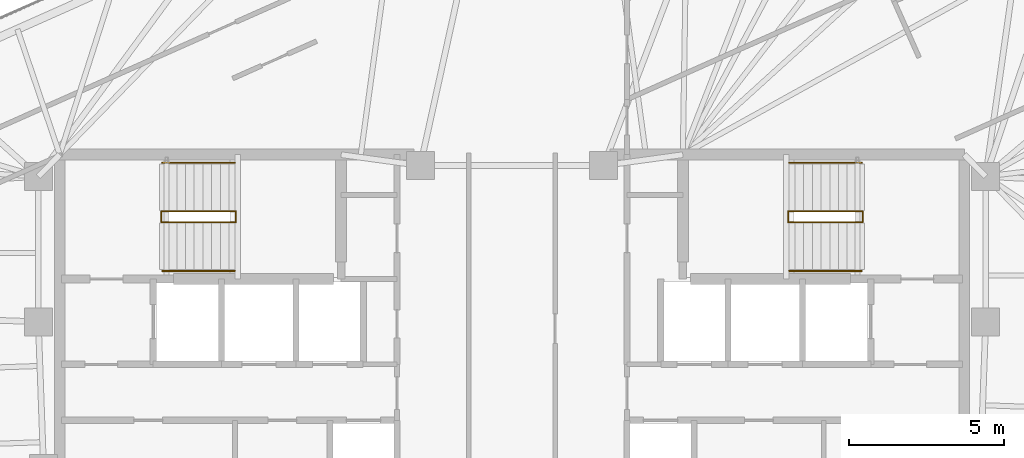
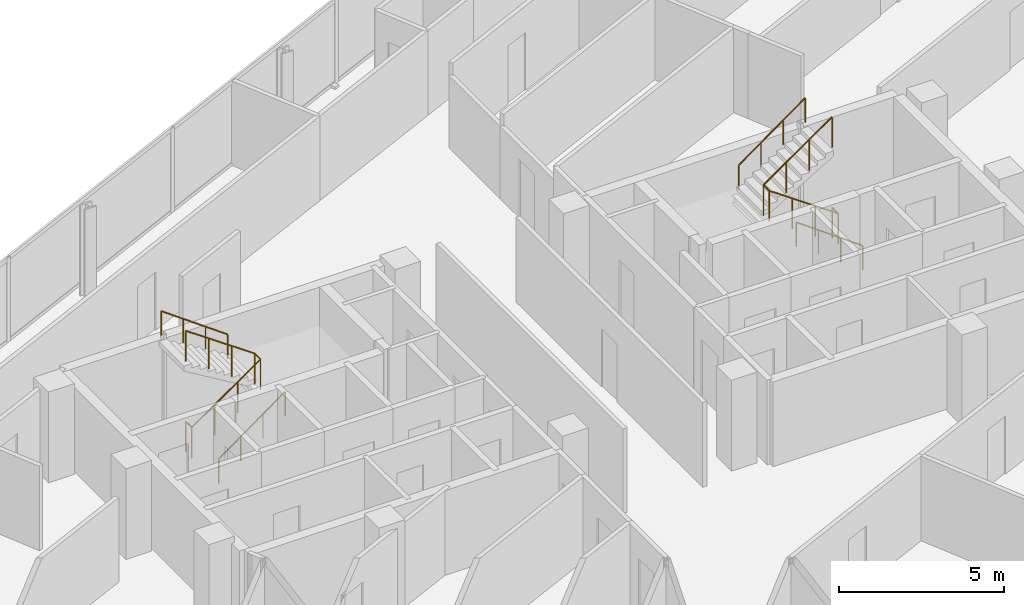
# One storey, part 19 of 19: 6 railings.
"""IFC4 building model written with IfcOpenShell, lengths in metres."""

from ifc_helpers import new_model, si_unit, direction, frame, origin, origin_2d, place, context, subcontext, project, spatial, circle, extrude, material, type_object, element, save


model = new_model("IFC4")

# Units and contexts
model_context = context("Model", 3, precision=1e-05, world=origin(), true_north=direction((0.0, 1.0)))
body_context = subcontext(model_context, "Body", "Model", "MODEL_VIEW")
ifc_project = project(units=[si_unit("LENGTHUNIT", "METRE"), si_unit("AREAUNIT", "SQUARE_METRE"), si_unit("VOLUMEUNIT", "CUBIC_METRE"), si_unit("PLANEANGLEUNIT", "RADIAN"), si_unit("MASSUNIT", "GRAM", prefix="KILO")], contexts=[model_context])

# Site, building, storey
site_placement = place(None, origin())
site = spatial("IfcSite", under=ifc_project, at=site_placement, CompositionType="ELEMENT")
building_placement = place(site_placement, origin())
building = spatial("IfcBuilding", under=site, at=building_placement, Name="Menara Jurai Vektor", CompositionType="ELEMENT")
storey_placement = place(building_placement, frame((0.0, 0.0, 262.199951171875)))
storey = spatial("IfcBuildingStorey", under=building, at=storey_placement, Name="L70", CompositionType="ELEMENT", Elevation=262.199951171875)

# Railings
ifc_material_1 = material(Name="Painted Galvanised Steel Balustrade", Category="steel")
railing_type_1 = type_object("IfcRailingType", Name="RAIL-STAIR-GUARD", PredefinedType="GUARDRAIL", material=ifc_material_1)
railing_1_placement = place(storey_placement, frame((-11.2900390625, 3.780029296875, 0.0)))
element("IfcRailing", 1, at=railing_1_placement, inside=storey, type_object=railing_type_1, Name="ST1 Stair Guardrail 1 L70", PredefinedType="GUARDRAIL", context=body_context, shape_type="SweptSolid", body=[
    extrude(circle(Radius=0.02392578125, at=origin_2d()), frame((0.0, 0.0, 1.1259765625), z_axis=(0.0, -1.0, 0.0), x_axis=(1.0, 0.0, 0.0)), (0.0, 0.0, 1.0), 0.360107421875),
    extrude(circle(Radius=0.02392578125, at=origin_2d()), frame((0.0, -0.360107421875, 1.1259765625), z_axis=(0.820042287322, 0.0, 0.572302932898), x_axis=(0.0, 1.0, 0.0)), (0.0, 0.0, 1.0), 2.9267578125),
    extrude(circle(Radius=0.02392578125, at=origin_2d()), frame((2.400146484375, -0.360107421875, 2.80078125), z_axis=(0.0, 1.0, 0.0), x_axis=(-1.0, 0.0, 0.0)), (0.0, 0.0, 1.0), 0.360107421875),
    extrude(circle(Radius=0.02392578125, at=origin_2d()), frame((2.400146484375, 0.0, 2.80078125), z_axis=(-0.820042287322, 0.0, 0.572302932898), x_axis=(0.0, -1.0, 0.0)), (0.0, 0.0, 1.0), 2.9267578125),
    extrude(circle(Radius=0.02099609375, at=origin_2d()), origin(), (0.0, 0.0, 1.0), 1.101806640625),
    extrude(circle(Radius=0.02099609375, at=origin_2d()), frame((0.0, -0.360107421875, 0.0)), (0.0, 0.0, 1.0), 1.101806640625),
    extrude(circle(Radius=0.02099609375, at=origin_2d()), frame((0.800048828125, -0.360107421875, 0.558349609375)), (0.0, 0.0, 1.0), 1.101806640625),
    extrude(circle(Radius=0.02099609375, at=origin_2d()), frame((1.60009765625, -0.360107421875, 1.11669921875)), (0.0, 0.0, 1.0), 1.101806640625),
    extrude(circle(Radius=0.02099609375, at=origin_2d()), frame((2.400146484375, -0.360107421875, 1.675048828125)), (0.0, 0.0, 1.0), 1.101806640625),
    extrude(circle(Radius=0.02099609375, at=origin_2d()), frame((2.400146484375, 0.0, 1.675048828125)), (0.0, 0.0, 1.0), 1.101806640625),
    extrude(circle(Radius=0.02099609375, at=origin_2d()), frame((1.60009765625, 0.0, 2.2333984375)), (0.0, 0.0, 1.0), 1.101806640625),
    extrude(circle(Radius=0.02099609375, at=origin_2d()), frame((0.800048828125, 0.0, 2.791748046875)), (0.0, 0.0, 1.0), 1.101806640625),
    extrude(circle(Radius=0.02099609375, at=origin_2d()), frame((0.0, 0.0, 3.35009765625)), (0.0, 0.0, 1.0), 1.101806640625),
])
railing_2_placement = place(storey_placement, frame((11.2900390625, 3.780029296875, 0.0)))
element("IfcRailing", 2, at=railing_2_placement, inside=storey, type_object=railing_type_1, Name="ST2 Stair Guardrail 1 L70", PredefinedType="GUARDRAIL", context=body_context, shape_type="SweptSolid", body=[
    extrude(circle(Radius=0.02392578125, at=origin_2d()), frame((0.0, 0.0, 1.1259765625), z_axis=(0.0, -1.0, 0.0), x_axis=(1.0, 0.0, 0.0)), (0.0, 0.0, 1.0), 0.360107421875),
    extrude(circle(Radius=0.02392578125, at=origin_2d()), frame((0.0, -0.360107421875, 1.1259765625), z_axis=(-0.820042287322, 0.0, 0.572302932898), x_axis=(0.0, -1.0, 0.0)), (0.0, 0.0, 1.0), 2.9267578125),
    extrude(circle(Radius=0.02392578125, at=origin_2d()), frame((-2.400146484375, -0.360107421875, 2.80078125), z_axis=(0.0, 1.0, 0.0), x_axis=(-1.0, 0.0, 0.0)), (0.0, 0.0, 1.0), 0.360107421875),
    extrude(circle(Radius=0.02392578125, at=origin_2d()), frame((-2.400146484375, 0.0, 2.80078125), z_axis=(0.820042287322, 0.0, 0.572302932898), x_axis=(0.0, 1.0, 0.0)), (0.0, 0.0, 1.0), 2.9267578125),
    extrude(circle(Radius=0.02099609375, at=origin_2d()), origin(), (0.0, 0.0, 1.0), 1.101806640625),
    extrude(circle(Radius=0.02099609375, at=origin_2d()), frame((0.0, -0.360107421875, 0.0)), (0.0, 0.0, 1.0), 1.101806640625),
    extrude(circle(Radius=0.02099609375, at=origin_2d()), frame((-0.800048828125, -0.360107421875, 0.558349609375)), (0.0, 0.0, 1.0), 1.101806640625),
    extrude(circle(Radius=0.02099609375, at=origin_2d()), frame((-1.60009765625, -0.360107421875, 1.11669921875)), (0.0, 0.0, 1.0), 1.101806640625),
    extrude(circle(Radius=0.02099609375, at=origin_2d()), frame((-2.400146484375, -0.360107421875, 1.675048828125)), (0.0, 0.0, 1.0), 1.101806640625),
    extrude(circle(Radius=0.02099609375, at=origin_2d()), frame((-2.400146484375, 0.0, 1.675048828125)), (0.0, 0.0, 1.0), 1.101806640625),
    extrude(circle(Radius=0.02099609375, at=origin_2d()), frame((-1.60009765625, 0.0, 2.2333984375)), (0.0, 0.0, 1.0), 1.101806640625),
    extrude(circle(Radius=0.02099609375, at=origin_2d()), frame((-0.800048828125, 0.0, 2.791748046875)), (0.0, 0.0, 1.0), 1.101806640625),
    extrude(circle(Radius=0.02099609375, at=origin_2d()), frame((0.0, 0.0, 3.35009765625)), (0.0, 0.0, 1.0), 1.101806640625),
])
ifc_material_2 = material(Name="Brushed Stainless Steel Handrail", Category="steel")
railing_type_2 = type_object("IfcRailingType", Name="RAIL-STAIR-HAND", PredefinedType="HANDRAIL", material=ifc_material_2)
railing_3_placement = place(storey_placement, frame((-11.25, 1.860107421875, 0.0)))
element("IfcRailing", 3, at=railing_3_placement, inside=storey, type_object=railing_type_2, Name="ST1 Stair Handrail 1 L70", PredefinedType="HANDRAIL", context=body_context, shape_type="SweptSolid", body=[
    extrude(circle(Radius=0.02392578125, at=origin_2d()), frame((0.0, 0.0, 0.89599609375), z_axis=(0.810771458067, 0.0, 0.585362830032), x_axis=(0.0, 1.0, 0.0)), (0.0, 0.0, 1.0), 2.861572265625),
    extrude(circle(Radius=0.02099609375, at=origin_2d()), origin(), (0.0, 0.0, 1.0), 0.871826171875),
    extrude(circle(Radius=0.02099609375, at=origin_2d()), frame((0.7734375, 0.0, 0.558349609375)), (0.0, 0.0, 1.0), 0.871826171875),
    extrude(circle(Radius=0.02099609375, at=origin_2d()), frame((1.546630859375, 0.0, 1.11669921875)), (0.0, 0.0, 1.0), 0.871826171875),
    extrude(circle(Radius=0.02099609375, at=origin_2d()), frame((2.320068359375, 0.0, 1.675048828125)), (0.0, 0.0, 1.0), 0.871826171875),
])
for number, where, name in (
    (4, (-8.929931640625, 5.340087890625, 1.675048828125), "ST1 Stair Handrail 2 L70"),
    (5, (11.25, 1.860107421875, 0.0), "ST2 Stair Handrail 1 L70"),
):
    element("IfcRailing", number, at=place(storey_placement, frame(where)), inside=storey, type_object=railing_type_2, Name=name, PredefinedType="HANDRAIL", context=body_context, shape_type="SweptSolid", body=[
        extrude(circle(Radius=0.02392578125, at=origin_2d()), frame((0.0, 0.0, 0.89599609375), z_axis=(-0.810771458067, 0.0, 0.585362830032), x_axis=(0.0, -1.0, 0.0)), (0.0, 0.0, 1.0), 2.861572265625),
        extrude(circle(Radius=0.02099609375, at=origin_2d()), origin(), (0.0, 0.0, 1.0), 0.871826171875),
        extrude(circle(Radius=0.02099609375, at=origin_2d()), frame((-0.7734375, 0.0, 0.558349609375)), (0.0, 0.0, 1.0), 0.871826171875),
        extrude(circle(Radius=0.02099609375, at=origin_2d()), frame((-1.546630859375, 0.0, 1.11669921875)), (0.0, 0.0, 1.0), 0.871826171875),
        extrude(circle(Radius=0.02099609375, at=origin_2d()), frame((-2.320068359375, 0.0, 1.675048828125)), (0.0, 0.0, 1.0), 0.871826171875),
    ])
railing_4_placement = place(storey_placement, frame((8.929931640625, 5.340087890625, 1.675048828125)))
element("IfcRailing", 6, at=railing_4_placement, inside=storey, type_object=railing_type_2, Name="ST2 Stair Handrail 2 L70", PredefinedType="HANDRAIL", context=body_context, shape_type="SweptSolid", body=[
    extrude(circle(Radius=0.02392578125, at=origin_2d()), frame((0.0, 0.0, 0.89599609375), z_axis=(0.810771458067, 0.0, 0.585362830032), x_axis=(0.0, 1.0, 0.0)), (0.0, 0.0, 1.0), 2.861572265625),
    extrude(circle(Radius=0.02099609375, at=origin_2d()), origin(), (0.0, 0.0, 1.0), 0.871826171875),
    extrude(circle(Radius=0.02099609375, at=origin_2d()), frame((0.7734375, 0.0, 0.558349609375)), (0.0, 0.0, 1.0), 0.871826171875),
    extrude(circle(Radius=0.02099609375, at=origin_2d()), frame((1.546630859375, 0.0, 1.11669921875)), (0.0, 0.0, 1.0), 0.871826171875),
    extrude(circle(Radius=0.02099609375, at=origin_2d()), frame((2.320068359375, 0.0, 1.675048828125)), (0.0, 0.0, 1.0), 0.871826171875),
])

save(model, "model.ifc")
